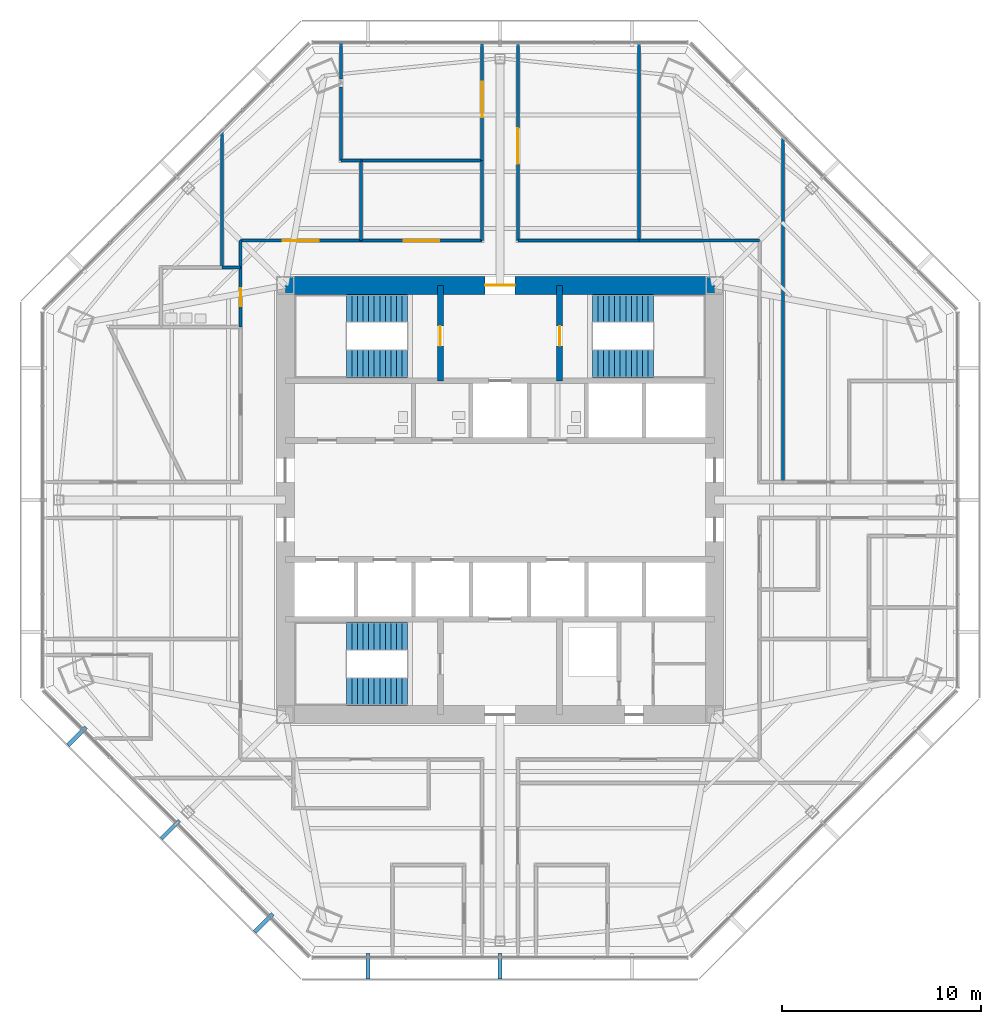
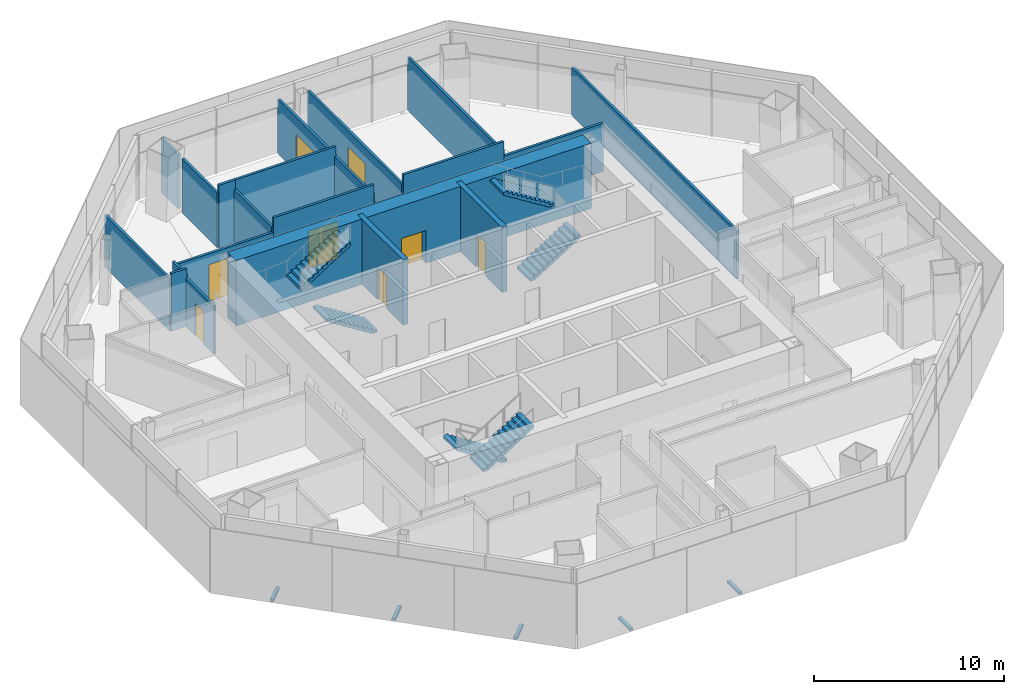
# One storey, part 11 of 15: 21 walls, 8 doors, 6 stair flights, 5 discrete accessories, 8 openings, 3 elements without a shape of their own.
"""IFC4 building model written with IfcOpenShell, lengths in metres."""

import ifcopenshell
import ifcopenshell.guid

model = None  # the IFC model being written
_history = None  # IfcOwnerHistory: only IFC2X3 demands one
_inside = {}  # id of a spatial element -> (the spatial element, [elements in it])
_under = {}  # id of a project, library or spatial element -> (it, [spatial elements below it])
_declared = {}  # id of a project -> (the project, [libraries it declares])
_typed = {}  # id of a type object -> (the type object, [elements of that type])
_made_of = {}  # id of a material, layer set ... -> (it, [elements and type objects made of it])


def new_model(schema):
    """Start an empty IFC model of exactly this schema.

    Asked for "IFC4X3", IfcOpenShell would pick the latest addendum, in which some entities
    have other attributes; the version numbers below select the first issue.
    IFC2X3 requires an IfcOwnerHistory on every rooted entity: one is made here for all.
    """
    global model, _history
    if schema == "IFC4X3":
        model = ifcopenshell.file(schema_version=(4, 3, 0, 0))
    else:
        model = ifcopenshell.file(schema=schema)
    _inside.clear()
    _under.clear()
    _declared.clear()
    _typed.clear()
    _made_of.clear()
    _history = None
    if model.schema == "IFC2X3":
        org = make("IfcOrganization", Name="unknown")
        user = make(
            "IfcPersonAndOrganization",
            ThePerson=make("IfcPerson", FamilyName="unknown"),
            TheOrganization=org,
        )
        app = make(
            "IfcApplication",
            ApplicationDeveloper=org,
            Version="unknown",
            ApplicationFullName="unknown",
            ApplicationIdentifier="unknown",
        )
        _history = make(
            "IfcOwnerHistory",
            OwningUser=user,
            OwningApplication=app,
            ChangeAction="ADDED",
            CreationDate=0,
        )
    return model


def make(cls, **values):
    """One entity of the class cls with the attributes given. An attribute that is None is left unset."""
    return model.create_entity(
        cls, **{name: value for name, value in values.items() if value is not None}
    )


def rooted(cls, **values):
    """An entity with a GlobalId (a new one), such as an element, a storey or a relation."""
    return make(cls, GlobalId=ifcopenshell.guid.new(), OwnerHistory=_history, **values)


def si_unit(unit_type, name, prefix=None):
    """IfcSIUnit, for example si_unit("LENGTHUNIT", "METRE", prefix="MILLI")."""
    return make("IfcSIUnit", UnitType=unit_type, Prefix=prefix, Name=name)


def assignment(units):
    """IfcUnitAssignment: the units of a project."""
    return None if units is None else make("IfcUnitAssignment", Units=units)


def point(xyz):
    """IfcCartesianPoint."""
    return None if xyz is None else make("IfcCartesianPoint", Coordinates=xyz)


def direction(xyz):
    """IfcDirection."""
    return None if xyz is None else make("IfcDirection", DirectionRatios=xyz)


def frame(location, z_axis=None, x_axis=None):
    """IfcAxis2Placement3D, a coordinate frame: its origin and axes. An axis left out is left unset."""
    return make(
        "IfcAxis2Placement3D",
        Location=point(location),
        Axis=direction(z_axis),
        RefDirection=direction(x_axis),
    )


def frame_2d(location, x_axis=None):
    """IfcAxis2Placement2D, a coordinate frame in the plane: its origin and x axis."""
    return make(
        "IfcAxis2Placement2D", Location=point(location), RefDirection=direction(x_axis)
    )


def origin():
    """The frame at (0, 0, 0) with its axes left unset."""
    return frame((0.0, 0.0, 0.0))


def origin_2d():
    """The frame at (0, 0) in the plane with its x axis left unset."""
    return frame_2d((0.0, 0.0))


def place(relative_to, where):
    """IfcLocalPlacement: puts the frame where relative to a parent placement (None: the world)."""
    return make(
        "IfcLocalPlacement", PlacementRelTo=relative_to, RelativePlacement=where
    )


def context(
    kind, dimensions, precision=None, world=None, true_north=None, identifier=None
):
    """IfcGeometricRepresentationContext, for example the 3D "Model" context."""
    return make(
        "IfcGeometricRepresentationContext",
        ContextIdentifier=identifier,
        ContextType=kind,
        CoordinateSpaceDimension=dimensions,
        Precision=precision,
        WorldCoordinateSystem=world,
        TrueNorth=true_north,
    )


def subcontext(parent, identifier, kind, view, scale=None):
    """IfcGeometricRepresentationSubContext, for example "Body" below "Model"."""
    return make(
        "IfcGeometricRepresentationSubContext",
        ContextIdentifier=identifier,
        ContextType=kind,
        ParentContext=parent,
        TargetScale=scale,
        TargetView=view,
    )


def project(units=None, contexts=None):
    """IfcProject with its units and contexts."""
    return rooted(
        "IfcProject",
        Name="project",
        RepresentationContexts=contexts,
        UnitsInContext=assignment(units),
    )


def spatial(cls, under=None, at=None, **own):
    """A site, building, storey or space (cls), placed at a placement, below another one or the project."""
    s = rooted(cls, ObjectPlacement=at, **own)
    if under is not None:
        _under.setdefault(under.id(), (under, []))[1].append(s)
    return s


def polyline(points):
    """IfcPolyline through the points."""
    return make("IfcPolyline", Points=[point(p) for p in points])


def profile(cls, at=None, kind="AREA", **sizes):
    """A parametric profile (cls). Its sizes go by their IFC names, for example OverallWidth=200.0."""
    return make(cls, ProfileType=kind, Position=at, **sizes)


def rectangle(**sizes):
    """IfcRectangleProfileDef."""
    return profile("IfcRectangleProfileDef", **sizes)


def outline(outer, holes=None, kind="AREA"):
    """IfcArbitraryClosedProfileDef: a profile drawn as a closed curve; with holes, ...WithVoids."""
    if holes is None:
        return make("IfcArbitraryClosedProfileDef", ProfileType=kind, OuterCurve=outer)
    return make(
        "IfcArbitraryProfileDefWithVoids",
        ProfileType=kind,
        OuterCurve=outer,
        InnerCurves=holes,
    )


def extrude(swept, where, along, depth):
    """IfcExtrudedAreaSolid: the profile swept, set in the frame where, extruded along a direction by depth."""
    return make(
        "IfcExtrudedAreaSolid",
        SweptArea=swept,
        Position=where,
        ExtrudedDirection=direction(along),
        Depth=depth,
    )


def shape(context_of_items, identifier, shape_type, items):
    """IfcShapeRepresentation: the items that make up one representation, for example the "Body"."""
    return make(
        "IfcShapeRepresentation",
        ContextOfItems=context_of_items,
        RepresentationIdentifier=identifier,
        RepresentationType=shape_type,
        Items=items,
    )


def source(mapping_origin, context_of_items, identifier, shape_type, items):
    """IfcRepresentationMap: a shape defined once, which mapped items show again and again."""
    return make(
        "IfcRepresentationMap",
        MappingOrigin=mapping_origin,
        MappedRepresentation=shape(context_of_items, identifier, shape_type, items),
    )


def transform(
    local_origin,
    x_axis=None,
    y_axis=None,
    z_axis=None,
    scale=None,
    scale2=None,
    scale3=None,
    uniform=True,
):
    """IfcCartesianTransformationOperator3D, or its non-uniform kind. x_axis, y_axis, z_axis: its Axis1, 2, 3."""
    if uniform:
        return make(
            "IfcCartesianTransformationOperator3D",
            Axis1=direction(x_axis),
            Axis2=direction(y_axis),
            LocalOrigin=point(local_origin),
            Scale=scale,
            Axis3=direction(z_axis),
        )
    return make(
        "IfcCartesianTransformationOperator3DnonUniform",
        Axis1=direction(x_axis),
        Axis2=direction(y_axis),
        LocalOrigin=point(local_origin),
        Scale=scale,
        Axis3=direction(z_axis),
        Scale2=scale2,
        Scale3=scale3,
    )


def mapped(mapping_source, mapping_target):
    """IfcMappedItem: shows the shape of a source again, moved by a transform."""
    return make(
        "IfcMappedItem", MappingSource=mapping_source, MappingTarget=mapping_target
    )


def material(Name=None, Category=None):
    """IfcMaterial."""
    return make("IfcMaterial", Name=Name, Category=Category)


def layer(
    of_material, thickness, ventilated=None, Name=None, Category=None, Priority=None
):
    """IfcMaterialLayer: one layer of a wall or slab, of a material (None: an air gap)."""
    return make(
        "IfcMaterialLayer",
        Material=of_material,
        LayerThickness=thickness,
        IsVentilated=ventilated,
        Name=Name,
        Category=Category,
        Priority=Priority,
    )


def layer_set(layers, Name=None):
    """IfcMaterialLayerSet."""
    return make("IfcMaterialLayerSet", MaterialLayers=layers, LayerSetName=Name)


def made_of(thing, what):
    """Note that an element or type object is made of a material, layer set ...; save() writes the relation."""
    if what is not None:
        _made_of.setdefault(what.id(), (what, []))[1].append(thing)
    return thing


def type_object(cls, material=None, **own):
    """A type object (cls), such as IfcWallType, which elements share."""
    return made_of(rooted(cls, **own), material)


def type_shapes(of_type, sources):
    """Give a type object the sources (RepresentationMaps) that its elements show as mapped items."""
    of_type.RepresentationMaps = sources


def element(
    cls,
    number,
    at=None,
    inside=None,
    cuts=None,
    type_object=None,
    material=None,
    context=None,
    identifier="Body",
    shape_type=None,
    held_by="IfcProductDefinitionShape",
    body=None,
    shapes=None,
    **own,
):
    """One element of the class cls, such as IfcWall. Its Tag is "e" and its number.

    at: its placement. inside: the storey or other place that contains it. cuts: it is an
    opening in that element (IfcRelVoidsElement). A single representation is given by context,
    identifier, shape_type and body (its items); several are given by shapes. held_by: the class
    of the entity that holds the representations. save() writes the other relations.
    """
    e = rooted(cls, Tag="e%d" % number, ObjectPlacement=at, **own)
    if body is not None:
        shapes = [shape(context, identifier, shape_type, body)]
    if shapes is not None:
        e.Representation = make(held_by, Representations=shapes)
    if inside is not None:
        _inside.setdefault(inside.id(), (inside, []))[1].append(e)
    if cuts is not None:
        rooted(
            "IfcRelVoidsElement", RelatingBuildingElement=cuts, RelatedOpeningElement=e
        )
    if type_object is not None:
        _typed.setdefault(type_object.id(), (type_object, []))[1].append(e)
    return made_of(e, material)


def fill(opening, filler):
    """IfcRelFillsElement: the door or window that sits in an opening."""
    return rooted(
        "IfcRelFillsElement",
        RelatingOpeningElement=opening,
        RelatedBuildingElement=filler,
    )


def aggregate(whole, parts):
    """IfcRelAggregates: a whole, such as a stair, and the parts it consists of."""
    return rooted("IfcRelAggregates", RelatingObject=whole, RelatedObjects=parts)


def save(model, path):
    """Write the relations noted so far, then the file.

    IfcRelAggregates (storeys below a building ...), IfcRelContainedInSpatialStructure (elements
    in a storey), IfcRelDefinesByType, IfcRelAssociatesMaterial and IfcRelDeclares: one each for
    every whole, place, type object, material and project.
    """
    for whole, parts in _under.values():
        aggregate(whole, parts)
    for where, things in _inside.values():
        rooted(
            "IfcRelContainedInSpatialStructure",
            RelatedElements=things,
            RelatingStructure=where,
        )
    for kind, things in _typed.values():
        rooted("IfcRelDefinesByType", RelatedObjects=things, RelatingType=kind)
    for what, things in _made_of.values():
        rooted("IfcRelAssociatesMaterial", RelatedObjects=things, RelatingMaterial=what)
    for by, libraries in _declared.values():
        rooted("IfcRelDeclares", RelatingContext=by, RelatedDefinitions=libraries)
    model.write(path)


model = new_model("IFC4")

# Units and contexts
model_context = context("Model", 3, precision=1e-05, world=origin(), true_north=direction((0.0, 1.0)))
body_context = subcontext(model_context, "Body", "Model", "MODEL_VIEW")
ifc_project = project(units=[si_unit("LENGTHUNIT", "METRE"), si_unit("AREAUNIT", "SQUARE_METRE"), si_unit("VOLUMEUNIT", "CUBIC_METRE"), si_unit("PLANEANGLEUNIT", "RADIAN"), si_unit("MASSUNIT", "GRAM", prefix="KILO")], contexts=[model_context])

# Site, building, storey
site_placement = place(None, origin())
site = spatial("IfcSite", under=ifc_project, at=site_placement, CompositionType="ELEMENT")
building_placement = place(site_placement, origin())
building = spatial("IfcBuilding", under=site, at=building_placement, Name="Mashrafa Tower", CompositionType="ELEMENT")
storey_placement = place(building_placement, frame((0.0, 0.0, 176.39990234375)))
storey = spatial("IfcBuildingStorey", under=building, at=storey_placement, Name="L40", CompositionType="ELEMENT", Elevation=176.39990234375)

# Wall, opening, door
ifc_material_1 = material(Name="Concrete C60/75", Category="concrete")
ifc_layer_1 = layer(ifc_material_1, 0.300048828125)
ifc_layer_set_1 = layer_set([ifc_layer_1], Name="Core wall 300 C60/75")
wall_type_1 = type_object("IfcWallType", Name="Core wall 300 C60/75", PredefinedType="SOLIDWALL", material=ifc_layer_set_1)
wall_1_placement = place(storey_placement, frame((-3.0, 6.0, 0.0), z_axis=(0.0, 0.0, 1.0), x_axis=(0.0, 1.0, 0.0)))
wall_1 = element("IfcWall", 1, at=wall_1_placement, inside=storey, type_object=wall_type_1, Name="Core wall CX-NW L40", PredefinedType="SOLIDWALL", context=body_context, shape_type="SweptSolid", body=[
    extrude(rectangle(XDim=4.800048828125, YDim=0.300048828125, at=frame_2d((2.39990234375, 0.0))), origin(), (0.0, 0.0, 1.0), 4.2001953125),
])
opening_1_placement = place(wall_1_placement, frame((1.75, 0.0, 0.0)))
opening_1 = element("IfcOpeningElement", 2, at=opening_1_placement, cuts=wall_1, Name="Opening 40.030", PredefinedType="OPENING", context=body_context, shape_type="SweptSolid", body=[
    extrude(rectangle(XDim=1.0, YDim=2.10009765625, at=frame_2d((0.5, 1.050048828125))), frame((0.0, 0.159912109375, 0.0), z_axis=(0.0, -1.0, 0.0), x_axis=(1.0, 0.0, 0.0)), (0.0, 0.0, 1.0), 0.320068359375),
])
ifc_material_2 = material(Name="Steel door", Category="steel")
door_type_1 = type_object("IfcDoorType", Name="Stair door 1000 x 2100 90 min", OperationType="USERDEFINED", PredefinedType="DOOR", material=ifc_material_2)
door_1_placement = place(opening_1_placement, origin())
door_1 = element("IfcDoor", 3, at=door_1_placement, inside=storey, type_object=door_type_1, Name="Stair S1 door L40", OperationType="SINGLE_SWING_LEFT", OverallHeight=2.10009765625, OverallWidth=1.0, PredefinedType="DOOR", context=body_context, shape_type="SweptSolid", body=[
    extrude(rectangle(XDim=1.0, YDim=2.10009765625, at=frame_2d((0.5, 1.050048828125))), frame((0.0, 0.02490234375, 0.0), z_axis=(0.0, -1.0, 0.0), x_axis=(1.0, 0.0, 0.0)), (0.0, 0.0, 1.0), 0.050048828125),
])
fill(opening_1, door_1)

wall_2_placement = place(storey_placement, frame((3.0, 6.0, 0.0), z_axis=(0.0, 0.0, 1.0), x_axis=(0.0, 1.0, 0.0)))
wall_2 = element("IfcWall", 4, at=wall_2_placement, inside=storey, type_object=wall_type_1, Name="Core wall CX-NE L40", PredefinedType="SOLIDWALL", context=body_context, shape_type="SweptSolid", body=[
    extrude(rectangle(XDim=4.800048828125, YDim=0.300048828125, at=frame_2d((2.39990234375, 0.0))), origin(), (0.0, 0.0, 1.0), 4.2001953125),
])
opening_2_placement = place(wall_2_placement, frame((1.75, 0.0, 0.0)))
opening_2 = element("IfcOpeningElement", 5, at=opening_2_placement, cuts=wall_2, Name="Opening 40.031", PredefinedType="OPENING", context=body_context, shape_type="SweptSolid", body=[
    extrude(rectangle(XDim=1.0, YDim=2.10009765625, at=frame_2d((0.5, 1.050048828125))), frame((0.0, 0.159912109375, 0.0), z_axis=(0.0, -1.0, 0.0), x_axis=(1.0, 0.0, 0.0)), (0.0, 0.0, 1.0), 0.320068359375),
])
door_2_placement = place(opening_2_placement, frame((1.0, 0.0, 0.0), z_axis=(0.0, 0.0, 1.0), x_axis=(-1.0, 0.0, 0.0)))
door_2 = element("IfcDoor", 6, at=door_2_placement, inside=storey, type_object=door_type_1, Name="Stair S2 door L40", OperationType="SINGLE_SWING_RIGHT", OverallHeight=2.10009765625, OverallWidth=1.0, PredefinedType="DOOR", context=body_context, shape_type="SweptSolid", body=[
    extrude(rectangle(XDim=1.0, YDim=2.10009765625, at=frame_2d((0.5, 1.050048828125))), frame((0.0, 0.02490234375, 0.0), z_axis=(0.0, -1.0, 0.0), x_axis=(1.0, 0.0, 0.0)), (0.0, 0.0, 1.0), 0.050048828125),
])
fill(opening_2, door_2)

ifc_material_3 = material(Name="Concrete C60/75", Category="concrete")
ifc_layer_2 = layer(ifc_material_3, 0.89990234375)
ifc_layer_set_2 = layer_set([ifc_layer_2], Name="Core wall 900 C60/75")
wall_type_2 = type_object("IfcWallType", Name="Core wall 900 C60/75", PredefinedType="SOLIDWALL", material=ifc_layer_set_2)
wall_3_placement = place(storey_placement, frame((10.800048828125, 10.800048828125, 0.0), z_axis=(0.0, 0.0, 1.0), x_axis=(-1.0, 0.0, 0.0)))
wall_3 = element("IfcWall", 7, at=wall_3_placement, inside=storey, type_object=wall_type_2, Name="Core wall CW-N L40", PredefinedType="SOLIDWALL", context=body_context, shape_type="SweptSolid", body=[
    extrude(rectangle(XDim=21.60009765625, YDim=0.89990234375, at=frame_2d((10.800048828125, 0.0))), origin(), (0.0, 0.0, 1.0), 4.2001953125),
])
opening_3_placement = place(wall_3_placement, frame((10.050048828125, 0.0, 0.0)))
opening_3 = element("IfcOpeningElement", 8, at=opening_3_placement, cuts=wall_3, Name="Opening 40.028", PredefinedType="OPENING", context=body_context, shape_type="SweptSolid", body=[
    extrude(rectangle(XDim=1.5, YDim=2.10009765625, at=frame_2d((0.75, 1.050048828125))), frame((0.0, 0.4599609375, 0.0), z_axis=(0.0, -1.0, 0.0), x_axis=(1.0, 0.0, 0.0)), (0.0, 0.0, 1.0), 0.919921875),
])
ifc_material_4 = material(Name="Steel door", Category="steel")
door_type_2 = type_object("IfcDoorType", Name="Lobby door pair 1500 x 2100 90 min", OperationType="DOUBLE_DOOR_SINGLE_SWING", PredefinedType="DOOR", material=ifc_material_4)
door_3_placement = place(opening_3_placement, origin())
door_3 = element("IfcDoor", 9, at=door_3_placement, inside=storey, type_object=door_type_2, Name="Fire-fighting lobby F1 door L40", OperationType="DOUBLE_DOOR_SINGLE_SWING", OverallHeight=2.10009765625, OverallWidth=1.5, PredefinedType="DOOR", context=body_context, shape_type="SweptSolid", body=[
    extrude(rectangle(XDim=1.5, YDim=2.10009765625, at=frame_2d((0.75, 1.050048828125))), frame((0.0, 0.02490234375, 0.0), z_axis=(0.0, -1.0, 0.0), x_axis=(1.0, 0.0, 0.0)), (0.0, 0.0, 1.0), 0.050048828125),
])
fill(opening_3, door_3)

ifc_material_5 = material(Name="Gypsum board on steel studs", Category="steel")
ifc_layer_3 = layer(ifc_material_5, 0.14990234375)
ifc_layer_set_3 = layer_set([ifc_layer_3], Name="Corridor partition 150 1 hr")
wall_type_3 = type_object("IfcWallType", Name="Corridor partition 150 1 hr", PredefinedType="PARTITIONING", material=ifc_layer_set_3)
wall_4_placement = place(storey_placement, frame((-13.050048828125, 11.700927734375, 0.0), z_axis=(0.0, 0.0, 1.0), x_axis=(0.0, -1.0, 0.0)))
wall_4 = element("IfcWall", 10, at=wall_4_placement, inside=storey, type_object=wall_type_3, Name="Corridor wall L40-003", PredefinedType="PARTITIONING", context=body_context, shape_type="SweptSolid", body=[
    extrude(rectangle(XDim=3.001953125, YDim=0.14990234375, at=frame_2d((1.5009765625, 0.0))), origin(), (0.0, 0.0, 1.0), 3.097900390625),
])
opening_4_placement = place(wall_4_placement, frame((1.051025390625, 0.0, 0.0)))
opening_4 = element("IfcOpeningElement", 11, at=opening_4_placement, cuts=wall_4, Name="Opening 40.002", PredefinedType="OPENING", context=body_context, shape_type="SweptSolid", body=[
    extrude(rectangle(XDim=0.89990234375, YDim=2.10009765625, at=frame_2d((0.449951171875, 1.050048828125))), frame((0.0, 0.0849609375, 0.0), z_axis=(0.0, -1.0, 0.0), x_axis=(1.0, 0.0, 0.0)), (0.0, 0.0, 1.0), 0.169921875),
])
ifc_material_6 = material(Name="Timber door", Category="wood")
door_type_3 = type_object("IfcDoorType", Name="Toilet door 900 x 2100", OperationType="USERDEFINED", PredefinedType="DOOR", material=ifc_material_6)
door_4_placement = place(opening_4_placement, frame((0.89990234375, 0.0, 0.0), z_axis=(0.0, 0.0, 1.0), x_axis=(-1.0, 0.0, 0.0)))
door_4 = element("IfcDoor", 12, at=door_4_placement, inside=storey, type_object=door_type_3, Name="Ablution Room L40 door", OperationType="SINGLE_SWING_RIGHT", OverallHeight=2.10009765625, OverallWidth=0.89990234375, PredefinedType="DOOR", context=body_context, shape_type="SweptSolid", body=[
    extrude(rectangle(XDim=0.89990234375, YDim=2.10009765625, at=frame_2d((0.449951171875, 1.050048828125))), frame((0.0, 0.02490234375, 0.0), z_axis=(0.0, -1.0, 0.0), x_axis=(1.0, 0.0, 0.0)), (0.0, 0.0, 1.0), 0.050048828125),
])
fill(opening_4, door_4)

wall_5_placement = place(storey_placement, frame((-0.89990234375, 23.008544921875, 0.0), z_axis=(0.0, 0.0, 1.0), x_axis=(0.0, -1.0, 0.0)))
wall_5 = element("IfcWall", 13, at=wall_5_placement, inside=storey, type_object=wall_type_3, Name="Corridor wall L40-004", PredefinedType="PARTITIONING", context=body_context, shape_type="SweptSolid", body=[
    extrude(rectangle(XDim=5.93505859375, YDim=0.14990234375, at=frame_2d((2.967529296875, 0.0))), origin(), (0.0, 0.0, 1.0), 3.49169921875),
])
opening_5_placement = place(wall_5_placement, frame((1.949462890625, 0.0, 0.0)))
opening_5 = element("IfcOpeningElement", 14, at=opening_5_placement, cuts=wall_5, Name="Opening 40.003", PredefinedType="OPENING", context=body_context, shape_type="SweptSolid", body=[
    extrude(rectangle(XDim=1.800048828125, YDim=2.39990234375, at=frame_2d((0.89990234375, 1.199951171875))), frame((0.0, 0.0849609375, 0.0), z_axis=(0.0, -1.0, 0.0), x_axis=(1.0, 0.0, 0.0)), (0.0, 0.0, 1.0), 0.169921875),
])
ifc_material_7 = material(Name="Timber door", Category="wood")
door_type_4 = type_object("IfcDoorType", Name="Door pair 1800 x 2400", OperationType="DOUBLE_DOOR_SINGLE_SWING", PredefinedType="DOOR", material=ifc_material_7)
door_5_placement = place(opening_5_placement, frame((1.800048828125, 0.0, 0.0), z_axis=(0.0, 0.0, 1.0), x_axis=(-1.0, 0.0, 0.0)))
door_5 = element("IfcDoor", 15, at=door_5_placement, inside=storey, type_object=door_type_4, Name="Board Room 40 door", OperationType="DOUBLE_DOOR_SINGLE_SWING", OverallHeight=2.39990234375, OverallWidth=1.800048828125, PredefinedType="DOOR", context=body_context, shape_type="SweptSolid", body=[
    extrude(rectangle(XDim=1.800048828125, YDim=2.39990234375, at=frame_2d((0.89990234375, 1.199951171875))), frame((0.0, 0.02490234375, 0.0), z_axis=(0.0, -1.0, 0.0), x_axis=(1.0, 0.0, 0.0)), (0.0, 0.0, 1.0), 0.050048828125),
])
fill(opening_5, door_5)

# Walls
wall_6_placement = place(storey_placement, frame((13.050048828125, 13.050048828125, 0.0), z_axis=(0.0, 0.0, 1.0), x_axis=(-1.0, 0.0, 0.0)))
element("IfcWall", 16, at=wall_6_placement, inside=storey, type_object=wall_type_3, Name="Corridor wall L40-012", PredefinedType="PARTITIONING", context=body_context, shape_type="SweptSolid", body=[
    extrude(rectangle(XDim=6.051025390625, YDim=0.14990234375, at=frame_2d((3.025390625, 0.0))), origin(), (0.0, 0.0, 1.0), 3.097900390625),
])
wall_7_placement = place(storey_placement, frame((7.0009765625, 13.050048828125, 0.0), z_axis=(0.0, 0.0, 1.0), x_axis=(-1.0, 0.0, 0.0)))
element("IfcWall", 17, at=wall_7_placement, inside=storey, type_object=wall_type_3, Name="Corridor wall L40-013", PredefinedType="PARTITIONING", context=body_context, shape_type="SweptSolid", body=[
    extrude(rectangle(XDim=6.10107421875, YDim=0.14990234375, at=frame_2d((3.050537109375, 0.0))), origin(), (0.0, 0.0, 1.0), 4.03515625),
])

# Wall, opening, door
wall_8_placement = place(storey_placement, frame((0.89990234375, 13.050048828125, 0.0), z_axis=(0.0, 0.0, 1.0), x_axis=(0.0, 1.0, 0.0)))
wall_8 = element("IfcWall", 18, at=wall_8_placement, inside=storey, type_object=wall_type_3, Name="Corridor wall L40-014", PredefinedType="PARTITIONING", context=body_context, shape_type="SweptSolid", body=[
    extrude(rectangle(XDim=9.95849609375, YDim=0.14990234375, at=frame_2d((4.979248046875, 0.0))), origin(), (0.0, 0.0, 1.0), 3.42578125),
])
opening_6_placement = place(wall_8_placement, frame((3.8623046875, 0.0, 0.0)))
opening_6 = element("IfcOpeningElement", 19, at=opening_6_placement, cuts=wall_8, Name="Opening 40.014", PredefinedType="OPENING", context=body_context, shape_type="SweptSolid", body=[
    extrude(rectangle(XDim=1.800048828125, YDim=2.39990234375, at=frame_2d((0.89990234375, 1.199951171875))), frame((0.0, 0.0849609375, 0.0), z_axis=(0.0, -1.0, 0.0), x_axis=(1.0, 0.0, 0.0)), (0.0, 0.0, 1.0), 0.169921875),
])
door_6_placement = place(opening_6_placement, frame((1.800048828125, 0.0, 0.0), z_axis=(0.0, 0.0, 1.0), x_axis=(-1.0, 0.0, 0.0)))
door_6 = element("IfcDoor", 20, at=door_6_placement, inside=storey, type_object=door_type_4, Name="General Counsel's Office 40-NE1 door", OperationType="DOUBLE_DOOR_SINGLE_SWING", OverallHeight=2.39990234375, OverallWidth=1.800048828125, PredefinedType="DOOR", context=body_context, shape_type="SweptSolid", body=[
    extrude(rectangle(XDim=1.800048828125, YDim=2.39990234375, at=frame_2d((0.89990234375, 1.199951171875))), frame((0.0, 0.02490234375, 0.0), z_axis=(0.0, -1.0, 0.0), x_axis=(1.0, 0.0, 0.0)), (0.0, 0.0, 1.0), 0.050048828125),
])
fill(opening_6, door_6)

wall_9_placement = place(storey_placement, frame((-6.9990234375, 13.050048828125, 0.0), z_axis=(0.0, 0.0, 1.0), x_axis=(-1.0, 0.0, 0.0)))
wall_9 = element("IfcWall", 21, at=wall_9_placement, inside=storey, type_object=wall_type_3, Name="Corridor wall L40-016", PredefinedType="PARTITIONING", context=body_context, shape_type="SweptSolid", body=[
    extrude(rectangle(XDim=6.051025390625, YDim=0.14990234375, at=frame_2d((3.025390625, 0.0))), origin(), (0.0, 0.0, 1.0), 3.097900390625),
])
opening_7_placement = place(wall_9_placement, frame((2.12548828125, 0.0, 0.0)))
opening_7 = element("IfcOpeningElement", 22, at=opening_7_placement, cuts=wall_9, Name="Opening 40.016", PredefinedType="OPENING", context=body_context, shape_type="SweptSolid", body=[
    extrude(rectangle(XDim=1.800048828125, YDim=2.39990234375, at=frame_2d((0.89990234375, 1.199951171875))), frame((0.0, 0.0849609375, 0.0), z_axis=(0.0, -1.0, 0.0), x_axis=(1.0, 0.0, 0.0)), (0.0, 0.0, 1.0), 0.169921875),
])
door_7_placement = place(opening_7_placement, frame((1.800048828125, 0.0, 0.0), z_axis=(0.0, 0.0, 1.0), x_axis=(-1.0, 0.0, 0.0)))
door_7 = element("IfcDoor", 23, at=door_7_placement, inside=storey, type_object=door_type_4, Name="Corporate Affairs Office 40-NW2 door", OperationType="DOUBLE_DOOR_SINGLE_SWING", OverallHeight=2.39990234375, OverallWidth=1.800048828125, PredefinedType="DOOR", context=body_context, shape_type="SweptSolid", body=[
    extrude(rectangle(XDim=1.800048828125, YDim=2.39990234375, at=frame_2d((0.89990234375, 1.199951171875))), frame((0.0, 0.02490234375, 0.0), z_axis=(0.0, -1.0, 0.0), x_axis=(1.0, 0.0, 0.0)), (0.0, 0.0, 1.0), 0.050048828125),
])
fill(opening_7, door_7)

# Walls
wall_10_placement = place(storey_placement, frame((-13.050048828125, 13.050048828125, 0.0), z_axis=(0.0, 0.0, 1.0), x_axis=(0.0, -1.0, 0.0)))
element("IfcWall", 24, at=wall_10_placement, inside=storey, type_object=wall_type_3, Name="Corridor wall L40-017", PredefinedType="PARTITIONING", context=body_context, shape_type="SweptSolid", body=[
    extrude(rectangle(XDim=1.35107421875, YDim=0.14990234375, at=frame_2d((0.675537109375, 0.0))), origin(), (0.0, 0.0, 1.0), 3.341796875),
])
wall_11_placement = place(storey_placement, frame((-0.89990234375, 17.07568359375, 0.0), z_axis=(0.0, 0.0, 1.0), x_axis=(0.0, -1.0, 0.0)))
element("IfcWall", 25, at=wall_11_placement, inside=storey, type_object=wall_type_3, Name="Corridor wall L40-018", PredefinedType="PARTITIONING", context=body_context, shape_type="SweptSolid", body=[
    extrude(rectangle(XDim=4.025634765625, YDim=0.14990234375, at=frame_2d((2.0126953125, 0.0))), origin(), (0.0, 0.0, 1.0), 3.42578125),
])

# Wall, opening, door
wall_12_placement = place(storey_placement, frame((-0.89990234375, 13.050048828125, 0.0), z_axis=(0.0, 0.0, 1.0), x_axis=(-1.0, 0.0, 0.0)))
wall_12 = element("IfcWall", 26, at=wall_12_placement, inside=storey, type_object=wall_type_3, Name="Corridor wall L40-019", PredefinedType="PARTITIONING", context=body_context, shape_type="SweptSolid", body=[
    extrude(rectangle(XDim=6.10107421875, YDim=0.14990234375, at=frame_2d((3.050537109375, 0.0))), origin(), (0.0, 0.0, 1.0), 4.03515625),
])
opening_8_placement = place(wall_12_placement, frame((2.150390625, 0.0, 0.0)))
opening_8 = element("IfcOpeningElement", 27, at=opening_8_placement, cuts=wall_12, Name="Opening 40.017", PredefinedType="OPENING", context=body_context, shape_type="SweptSolid", body=[
    extrude(rectangle(XDim=1.800048828125, YDim=2.39990234375, at=frame_2d((0.89990234375, 1.199951171875))), frame((0.0, 0.0849609375, 0.0), z_axis=(0.0, -1.0, 0.0), x_axis=(1.0, 0.0, 0.0)), (0.0, 0.0, 1.0), 0.169921875),
])
door_8_placement = place(opening_8_placement, frame((1.800048828125, 0.0, 0.0), z_axis=(0.0, 0.0, 1.0), x_axis=(-1.0, 0.0, 0.0)))
door_8 = element("IfcDoor", 28, at=door_8_placement, inside=storey, type_object=door_type_4, Name="General Counsel's Office 40-NW1 door", OperationType="DOUBLE_DOOR_SINGLE_SWING", OverallHeight=2.39990234375, OverallWidth=1.800048828125, PredefinedType="DOOR", context=body_context, shape_type="SweptSolid", body=[
    extrude(rectangle(XDim=1.800048828125, YDim=2.39990234375, at=frame_2d((0.89990234375, 1.199951171875))), frame((0.0, 0.02490234375, 0.0), z_axis=(0.0, -1.0, 0.0), x_axis=(1.0, 0.0, 0.0)), (0.0, 0.0, 1.0), 0.050048828125),
])
fill(opening_8, door_8)

# Walls
ifc_material_8 = material(Name="Gypsum board on steel studs", Category="steel")
ifc_layer_4 = layer(ifc_material_8, 0.14990234375)
ifc_layer_set_4 = layer_set([ifc_layer_4], Name="Partition 150")
wall_type_4 = type_object("IfcWallType", Name="Partition 150", PredefinedType="PARTITIONING", material=ifc_layer_set_4)
wall_13_placement = place(storey_placement, frame((-13.050048828125, 11.699951171875, 0.0), z_axis=(0.0, 0.0, 1.0), x_axis=(-1.0, 0.0, 0.0)))
element("IfcWall", 29, at=wall_13_placement, inside=storey, type_object=wall_type_4, Name="Partition wall L40-037", PredefinedType="PARTITIONING", context=body_context, shape_type="SweptSolid", body=[
    extrude(rectangle(XDim=0.950927734375, YDim=0.14990234375, at=frame_2d((0.4755859375, 0.0))), origin(), (0.0, 0.0, 1.0), 3.715087890625),
])
wall_14_placement = place(storey_placement, frame((-8.0, 23.006591796875, 0.0), z_axis=(0.0, 0.0, 1.0), x_axis=(0.0, -1.0, 0.0)))
element("IfcWall", 30, at=wall_14_placement, inside=storey, type_object=wall_type_4, Name="Partition wall L40-038", PredefinedType="PARTITIONING", context=body_context, shape_type="SweptSolid", body=[
    extrude(rectangle(XDim=1.81396484375, YDim=0.14990234375, at=frame_2d((0.906982421875, 0.0))), origin(), (0.0, 0.0, 1.0), 3.499267578125),
])
wall_15_placement = place(storey_placement, frame((-8.0, 20.77734375, 0.0), z_axis=(0.0, 0.0, 1.0), x_axis=(0.0, -1.0, 0.0)))
element("IfcWall", 31, at=wall_15_placement, inside=storey, type_object=wall_type_4, Name="Partition wall L40-039", PredefinedType="PARTITIONING", context=body_context, shape_type="SweptSolid", body=[
    extrude(rectangle(XDim=3.70263671875, YDim=0.14990234375, at=frame_2d((1.851318359375, 0.0))), origin(), (0.0, 0.0, 1.0), 3.49169921875),
])
wall_16_placement = place(storey_placement, frame((-8.0, 17.07470703125, 0.0), z_axis=(0.0, 0.0, 1.0), x_axis=(1.0, 0.0, 0.0)))
element("IfcWall", 32, at=wall_16_placement, inside=storey, type_object=wall_type_4, Name="Partition wall L40-040", PredefinedType="PARTITIONING", context=body_context, shape_type="SweptSolid", body=[
    extrude(rectangle(XDim=1.0009765625, YDim=0.14990234375, at=frame_2d((0.50048828125, 0.0))), origin(), (0.0, 0.0, 1.0), 4.03515625),
])
wall_17_placement = place(storey_placement, frame((-7.0009765625, 17.07470703125, 0.0), z_axis=(0.0, 0.0, 1.0), x_axis=(1.0, 0.0, 0.0)))
element("IfcWall", 33, at=wall_17_placement, inside=storey, type_object=wall_type_4, Name="Partition wall L40-041", PredefinedType="PARTITIONING", context=body_context, shape_type="SweptSolid", body=[
    extrude(rectangle(XDim=6.10107421875, YDim=0.14990234375, at=frame_2d((3.050537109375, 0.0))), origin(), (0.0, 0.0, 1.0), 4.03515625),
])
wall_18_placement = place(storey_placement, frame((14.25, 18.287841796875, 0.0), z_axis=(0.0, 0.0, 1.0), x_axis=(0.0, -1.0, 0.0)))
element("IfcWall", 34, at=wall_18_placement, inside=storey, type_object=wall_type_4, Name="Partition wall L40-066", PredefinedType="PARTITIONING", context=body_context, shape_type="SweptSolid", body=[
    extrude(rectangle(XDim=17.387939453125, YDim=0.14990234375, at=frame_2d((8.69384765625, 0.0))), origin(), (0.0, 0.0, 1.0), 3.097900390625),
])
wall_19_placement = place(storey_placement, frame((7.0, 23.006591796875, 0.0), z_axis=(0.0, 0.0, 1.0), x_axis=(0.0, -1.0, 0.0)))
element("IfcWall", 35, at=wall_19_placement, inside=storey, type_object=wall_type_4, Name="Partition wall L40-067", PredefinedType="PARTITIONING", context=body_context, shape_type="SweptSolid", body=[
    extrude(rectangle(XDim=9.95654296875, YDim=0.14990234375, at=frame_2d((4.978271484375, 0.0))), origin(), (0.0, 0.0, 1.0), 3.42578125),
])
wall_20_placement = place(storey_placement, frame((-14.0, 11.699951171875, 0.0), z_axis=(0.0, 0.0, 1.0), x_axis=(0.0, 1.0, 0.0)))
element("IfcWall", 36, at=wall_20_placement, inside=storey, type_object=wall_type_4, Name="Partition wall L40-068", PredefinedType="PARTITIONING", context=body_context, shape_type="SweptSolid", body=[
    extrude(rectangle(XDim=6.837890625, YDim=0.14990234375, at=frame_2d((3.4189453125, 0.0))), origin(), (0.0, 0.0, 1.0), 3.341796875),
])
wall_21_placement = place(storey_placement, frame((-7.0, 13.050048828125, 0.0), z_axis=(0.0, 0.0, 1.0), x_axis=(0.0, 1.0, 0.0)))
element("IfcWall", 37, at=wall_21_placement, inside=storey, type_object=wall_type_4, Name="Partition wall L40-069", PredefinedType="PARTITIONING", context=body_context, shape_type="SweptSolid", body=[
    extrude(rectangle(XDim=4.024658203125, YDim=0.14990234375, at=frame_2d((2.01220703125, 0.0))), origin(), (0.0, 0.0, 1.0), 3.42578125),
])

# Stair, stair flights
ifc_material_9 = material(Name="Exit stair 1400")
stair_type = type_object("IfcStairType", Name="Exit stair 1400", PredefinedType="HALF_TURN_STAIR", material=ifc_material_9)
stair_1_placement = place(storey_placement, origin())
stair_1 = element("IfcStair", 38, at=stair_1_placement, inside=storey, type_object=stair_type, Name="Stair S1 L40", PredefinedType="HALF_TURN_STAIR")
ifc_material_10 = material(Name="Concrete C32/40", Category="concrete")
stair_flight_type = type_object("IfcStairFlightType", Name="Stair flight 1400", PredefinedType="STRAIGHT", material=ifc_material_10)
stair_flight_1_placement = place(storey_placement, frame((-4.64990234375, 6.85009765625, 0.0), z_axis=(0.0, 0.0, 1.0), x_axis=(-1.0, 0.0, 0.0)))
stair_flight_1 = element("IfcStairFlight", 39, at=stair_flight_1_placement, type_object=stair_flight_type, Name="S1 flight 1", NumberOfRisers=12, NumberOfTreads=11, PredefinedType="STRAIGHT", RiserHeight=0.175, TreadLength=0.28, context=body_context, shape_type="SweptSolid", body=[
    extrude(outline(polyline([(0.0, 0.0), (0.0, 0.175048828125), (0.280029296875, 0.175048828125), (0.280029296875, 0.35009765625), (0.56005859375, 0.35009765625), (0.56005859375, 0.52490234375), (0.840087890625, 0.52490234375), (0.840087890625, 0.699951171875), (1.1201171875, 0.699951171875), (1.1201171875, 0.875), (1.39990234375, 0.875), (1.39990234375, 1.050048828125), (1.679931640625, 1.050048828125), (1.679931640625, 1.22509765625), (1.9599609375, 1.22509765625), (1.9599609375, 1.39990234375), (2.239990234375, 1.39990234375), (2.239990234375, 1.574951171875), (2.52001953125, 1.574951171875), (2.52001953125, 1.75), (2.800048828125, 1.75), (2.800048828125, 1.925048828125), (3.080078125, 1.925048828125), (3.080078125, 2.10009765625), (3.080078125, 1.748291015625), (0.28271484375, 0.0), (0.0, 0.0)])), frame((0.0, 0.699951171875, 0.0), z_axis=(0.0, -1.0, 0.0), x_axis=(1.0, 0.0, 0.0)), (0.0, 0.0, 1.0), 1.39990234375),
])
stair_flight_2_placement = place(storey_placement, frame((-7.72998046875, 9.64990234375, 2.10009765625), z_axis=(0.0, 0.0, 1.0), x_axis=(1.0, 0.0, 0.0)))
stair_flight_2 = element("IfcStairFlight", 40, at=stair_flight_2_placement, type_object=stair_flight_type, Name="S1 flight 2", NumberOfRisers=12, NumberOfTreads=11, PredefinedType="STRAIGHT", RiserHeight=0.175, TreadLength=0.28, context=body_context, shape_type="SweptSolid", body=[
    extrude(outline(polyline([(0.0, 0.0), (0.0, 0.175048828125), (0.280029296875, 0.175048828125), (0.280029296875, 0.35009765625), (0.56005859375, 0.35009765625), (0.56005859375, 0.52490234375), (0.840087890625, 0.52490234375), (0.840087890625, 0.699951171875), (1.1201171875, 0.699951171875), (1.1201171875, 0.875), (1.39990234375, 0.875), (1.39990234375, 1.050048828125), (1.679931640625, 1.050048828125), (1.679931640625, 1.22509765625), (1.9599609375, 1.22509765625), (1.9599609375, 1.39990234375), (2.239990234375, 1.39990234375), (2.239990234375, 1.574951171875), (2.52001953125, 1.574951171875), (2.52001953125, 1.75), (2.800048828125, 1.75), (2.800048828125, 1.925048828125), (3.080078125, 1.925048828125), (3.080078125, 2.10009765625), (3.080078125, 1.748291015625), (0.28271484375, 0.0), (0.0, 0.0)])), frame((0.0, 0.699951171875, 0.0), z_axis=(0.0, -1.0, 0.0), x_axis=(1.0, 0.0, 0.0)), (0.0, 0.0, 1.0), 1.39990234375),
])
aggregate(stair_1, [stair_flight_1, stair_flight_2])

stair_2_placement = place(storey_placement, origin())
stair_2 = element("IfcStair", 41, at=stair_2_placement, inside=storey, type_object=stair_type, Name="Stair S2 L40", PredefinedType="HALF_TURN_STAIR")
stair_flight_3_placement = place(storey_placement, frame((4.64990234375, 6.85009765625, 0.0), z_axis=(0.0, 0.0, 1.0), x_axis=(1.0, 0.0, 0.0)))
stair_flight_3 = element("IfcStairFlight", 42, at=stair_flight_3_placement, type_object=stair_flight_type, Name="S2 flight 1", NumberOfRisers=12, NumberOfTreads=11, PredefinedType="STRAIGHT", RiserHeight=0.175, TreadLength=0.28, context=body_context, shape_type="SweptSolid", body=[
    extrude(outline(polyline([(0.0, 0.0), (0.0, 0.175048828125), (0.280029296875, 0.175048828125), (0.280029296875, 0.35009765625), (0.56005859375, 0.35009765625), (0.56005859375, 0.52490234375), (0.840087890625, 0.52490234375), (0.840087890625, 0.699951171875), (1.1201171875, 0.699951171875), (1.1201171875, 0.875), (1.39990234375, 0.875), (1.39990234375, 1.050048828125), (1.679931640625, 1.050048828125), (1.679931640625, 1.22509765625), (1.9599609375, 1.22509765625), (1.9599609375, 1.39990234375), (2.239990234375, 1.39990234375), (2.239990234375, 1.574951171875), (2.52001953125, 1.574951171875), (2.52001953125, 1.75), (2.800048828125, 1.75), (2.800048828125, 1.925048828125), (3.080078125, 1.925048828125), (3.080078125, 2.10009765625), (3.080078125, 1.748291015625), (0.28271484375, 0.0), (0.0, 0.0)])), frame((0.0, 0.699951171875, 0.0), z_axis=(0.0, -1.0, 0.0), x_axis=(1.0, 0.0, 0.0)), (0.0, 0.0, 1.0), 1.39990234375),
])
stair_flight_4_placement = place(storey_placement, frame((7.72998046875, 9.64990234375, 2.10009765625), z_axis=(0.0, 0.0, 1.0), x_axis=(-1.0, 0.0, 0.0)))
stair_flight_4 = element("IfcStairFlight", 43, at=stair_flight_4_placement, type_object=stair_flight_type, Name="S2 flight 2", NumberOfRisers=12, NumberOfTreads=11, PredefinedType="STRAIGHT", RiserHeight=0.175, TreadLength=0.28, context=body_context, shape_type="SweptSolid", body=[
    extrude(outline(polyline([(0.0, 0.0), (0.0, 0.175048828125), (0.280029296875, 0.175048828125), (0.280029296875, 0.35009765625), (0.56005859375, 0.35009765625), (0.56005859375, 0.52490234375), (0.840087890625, 0.52490234375), (0.840087890625, 0.699951171875), (1.1201171875, 0.699951171875), (1.1201171875, 0.875), (1.39990234375, 0.875), (1.39990234375, 1.050048828125), (1.679931640625, 1.050048828125), (1.679931640625, 1.22509765625), (1.9599609375, 1.22509765625), (1.9599609375, 1.39990234375), (2.239990234375, 1.39990234375), (2.239990234375, 1.574951171875), (2.52001953125, 1.574951171875), (2.52001953125, 1.75), (2.800048828125, 1.75), (2.800048828125, 1.925048828125), (3.080078125, 1.925048828125), (3.080078125, 2.10009765625), (3.080078125, 1.748291015625), (0.28271484375, 0.0), (0.0, 0.0)])), frame((0.0, 0.699951171875, 0.0), z_axis=(0.0, -1.0, 0.0), x_axis=(1.0, 0.0, 0.0)), (0.0, 0.0, 1.0), 1.39990234375),
])
aggregate(stair_2, [stair_flight_3, stair_flight_4])

stair_3_placement = place(storey_placement, origin())
stair_3 = element("IfcStair", 44, at=stair_3_placement, inside=storey, type_object=stair_type, Name="Stair S3 L40", PredefinedType="HALF_TURN_STAIR")
stair_flight_5_placement = place(storey_placement, frame((-4.64990234375, -6.85009765625, 0.0), z_axis=(0.0, 0.0, 1.0), x_axis=(-1.0, 0.0, 0.0)))
stair_flight_5 = element("IfcStairFlight", 45, at=stair_flight_5_placement, type_object=stair_flight_type, Name="S3 flight 1", NumberOfRisers=12, NumberOfTreads=11, PredefinedType="STRAIGHT", RiserHeight=0.175, TreadLength=0.28, context=body_context, shape_type="SweptSolid", body=[
    extrude(outline(polyline([(0.0, 0.0), (0.0, 0.175048828125), (0.280029296875, 0.175048828125), (0.280029296875, 0.35009765625), (0.56005859375, 0.35009765625), (0.56005859375, 0.52490234375), (0.840087890625, 0.52490234375), (0.840087890625, 0.699951171875), (1.1201171875, 0.699951171875), (1.1201171875, 0.875), (1.39990234375, 0.875), (1.39990234375, 1.050048828125), (1.679931640625, 1.050048828125), (1.679931640625, 1.22509765625), (1.9599609375, 1.22509765625), (1.9599609375, 1.39990234375), (2.239990234375, 1.39990234375), (2.239990234375, 1.574951171875), (2.52001953125, 1.574951171875), (2.52001953125, 1.75), (2.800048828125, 1.75), (2.800048828125, 1.925048828125), (3.080078125, 1.925048828125), (3.080078125, 2.10009765625), (3.080078125, 1.748291015625), (0.28271484375, 0.0), (0.0, 0.0)])), frame((0.0, 0.699951171875, 0.0), z_axis=(0.0, -1.0, 0.0), x_axis=(1.0, 0.0, 0.0)), (0.0, 0.0, 1.0), 1.39990234375),
])
stair_flight_6_placement = place(storey_placement, frame((-7.72998046875, -9.64990234375, 2.10009765625), z_axis=(0.0, 0.0, 1.0), x_axis=(1.0, 0.0, 0.0)))
stair_flight_6 = element("IfcStairFlight", 46, at=stair_flight_6_placement, type_object=stair_flight_type, Name="S3 flight 2", NumberOfRisers=12, NumberOfTreads=11, PredefinedType="STRAIGHT", RiserHeight=0.175, TreadLength=0.28, context=body_context, shape_type="SweptSolid", body=[
    extrude(outline(polyline([(0.0, 0.0), (0.0, 0.175048828125), (0.280029296875, 0.175048828125), (0.280029296875, 0.35009765625), (0.56005859375, 0.35009765625), (0.56005859375, 0.52490234375), (0.840087890625, 0.52490234375), (0.840087890625, 0.699951171875), (1.1201171875, 0.699951171875), (1.1201171875, 0.875), (1.39990234375, 0.875), (1.39990234375, 1.050048828125), (1.679931640625, 1.050048828125), (1.679931640625, 1.22509765625), (1.9599609375, 1.22509765625), (1.9599609375, 1.39990234375), (2.239990234375, 1.39990234375), (2.239990234375, 1.574951171875), (2.52001953125, 1.574951171875), (2.52001953125, 1.75), (2.800048828125, 1.75), (2.800048828125, 1.925048828125), (3.080078125, 1.925048828125), (3.080078125, 2.10009765625), (3.080078125, 1.748291015625), (0.28271484375, 0.0), (0.0, 0.0)])), frame((0.0, 0.699951171875, 0.0), z_axis=(0.0, -1.0, 0.0), x_axis=(1.0, 0.0, 0.0)), (0.0, 0.0, 1.0), 1.39990234375),
])
aggregate(stair_3, [stair_flight_5, stair_flight_6])

# Discrete accessories
ifc_material_11 = material(Name="Stainless steel screen bracket", Category="steel")
discrete_accessory_type = type_object("IfcDiscreteAccessoryType", Name="Screen support bracket 200 x 150", PredefinedType="BRACKET", material=ifc_material_11)
shared_shape = source(origin(), body_context, "Body", "SweptSolid", [
    extrude(rectangle(XDim=0.199951171875, YDim=1.27001953125, at=origin_2d()), origin(), (0.0, 0.0, 1.0), 0.14990234375),
])
type_shapes(discrete_accessory_type, [shared_shape])
for number, where, z_axis, x_axis, name in (
    (47, (-21.28857421875, -11.888427734375, -0.14990234375), (0.0, 0.0, 1.0), (0.707106781187, -0.707106781187, 0.0), "Screen support bracket L40 south-west 1"),
    (48, (-16.58837890625, -16.58837890625, -0.14990234375), (0.0, 0.0, 1.0), (0.707106781187, -0.707106781187, 0.0), "Screen support bracket L40 south-west 2"),
    (49, (-11.888427734375, -21.28857421875, -0.14990234375), (0.0, 0.0, 1.0), (0.707106781187, -0.707106781187, 0.0), "Screen support bracket L40 south-west 3"),
    (50, (-6.64697265625, -23.459716796875, -0.14990234375), (0.0, 0.0, 1.0), (1.0, 0.0, 0.0), "Screen support bracket L40 south 1"),
    (51, (0.0, -23.459716796875, -0.14990234375), (0.0, 0.0, 1.0), (1.0, 0.0, 0.0), "Screen support bracket L40 south 2"),
):
    element("IfcDiscreteAccessory", number, at=place(storey_placement, frame(where, z_axis=z_axis, x_axis=x_axis)), inside=storey, type_object=discrete_accessory_type, Name=name, PredefinedType="BRACKET", context=body_context, shape_type="MappedRepresentation", body=[
        mapped(shared_shape, transform((0.0, 0.0, 0.0))),
    ])

save(model, "model.ifc")
